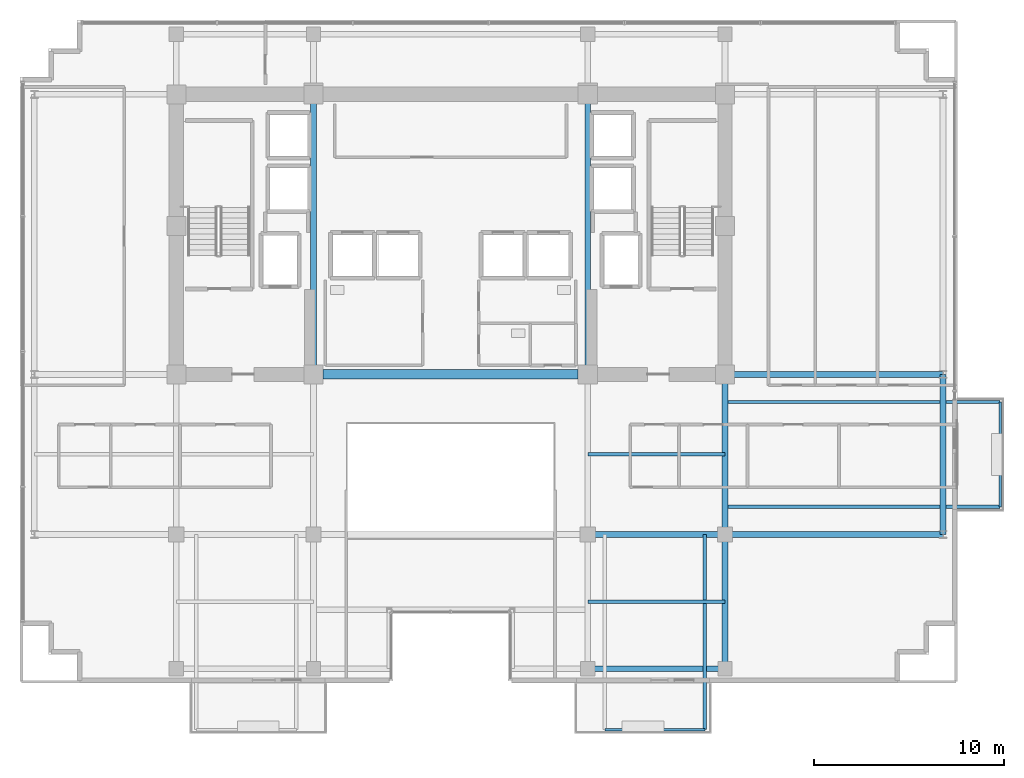
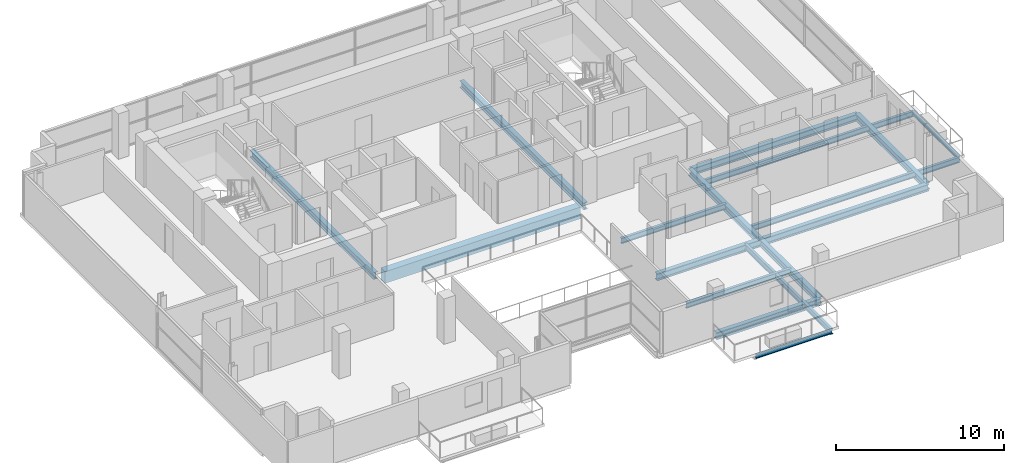
# One storey, part 8 of 21: 17 beams.
"""IFC4 building model written with IfcOpenShell, lengths in metres."""

import ifcopenshell
import ifcopenshell.guid

model = None  # the IFC model being written
_history = None  # IfcOwnerHistory: only IFC2X3 demands one
_inside = {}  # id of a spatial element -> (the spatial element, [elements in it])
_under = {}  # id of a project, library or spatial element -> (it, [spatial elements below it])
_declared = {}  # id of a project -> (the project, [libraries it declares])
_typed = {}  # id of a type object -> (the type object, [elements of that type])
_made_of = {}  # id of a material, layer set ... -> (it, [elements and type objects made of it])


def new_model(schema):
    """Start an empty IFC model of exactly this schema.

    Asked for "IFC4X3", IfcOpenShell would pick the latest addendum, in which some entities
    have other attributes; the version numbers below select the first issue.
    IFC2X3 requires an IfcOwnerHistory on every rooted entity: one is made here for all.
    """
    global model, _history
    if schema == "IFC4X3":
        model = ifcopenshell.file(schema_version=(4, 3, 0, 0))
    else:
        model = ifcopenshell.file(schema=schema)
    _inside.clear()
    _under.clear()
    _declared.clear()
    _typed.clear()
    _made_of.clear()
    _history = None
    if model.schema == "IFC2X3":
        org = make("IfcOrganization", Name="unknown")
        user = make(
            "IfcPersonAndOrganization",
            ThePerson=make("IfcPerson", FamilyName="unknown"),
            TheOrganization=org,
        )
        app = make(
            "IfcApplication",
            ApplicationDeveloper=org,
            Version="unknown",
            ApplicationFullName="unknown",
            ApplicationIdentifier="unknown",
        )
        _history = make(
            "IfcOwnerHistory",
            OwningUser=user,
            OwningApplication=app,
            ChangeAction="ADDED",
            CreationDate=0,
        )
    return model


def make(cls, **values):
    """One entity of the class cls with the attributes given. An attribute that is None is left unset."""
    return model.create_entity(
        cls, **{name: value for name, value in values.items() if value is not None}
    )


def rooted(cls, **values):
    """An entity with a GlobalId (a new one), such as an element, a storey or a relation."""
    return make(cls, GlobalId=ifcopenshell.guid.new(), OwnerHistory=_history, **values)


def si_unit(unit_type, name, prefix=None):
    """IfcSIUnit, for example si_unit("LENGTHUNIT", "METRE", prefix="MILLI")."""
    return make("IfcSIUnit", UnitType=unit_type, Prefix=prefix, Name=name)


def assignment(units):
    """IfcUnitAssignment: the units of a project."""
    return None if units is None else make("IfcUnitAssignment", Units=units)


def point(xyz):
    """IfcCartesianPoint."""
    return None if xyz is None else make("IfcCartesianPoint", Coordinates=xyz)


def direction(xyz):
    """IfcDirection."""
    return None if xyz is None else make("IfcDirection", DirectionRatios=xyz)


def frame(location, z_axis=None, x_axis=None):
    """IfcAxis2Placement3D, a coordinate frame: its origin and axes. An axis left out is left unset."""
    return make(
        "IfcAxis2Placement3D",
        Location=point(location),
        Axis=direction(z_axis),
        RefDirection=direction(x_axis),
    )


def frame_2d(location, x_axis=None):
    """IfcAxis2Placement2D, a coordinate frame in the plane: its origin and x axis."""
    return make(
        "IfcAxis2Placement2D", Location=point(location), RefDirection=direction(x_axis)
    )


def origin():
    """The frame at (0, 0, 0) with its axes left unset."""
    return frame((0.0, 0.0, 0.0))


def origin_2d():
    """The frame at (0, 0) in the plane with its x axis left unset."""
    return frame_2d((0.0, 0.0))


def place(relative_to, where):
    """IfcLocalPlacement: puts the frame where relative to a parent placement (None: the world)."""
    return make(
        "IfcLocalPlacement", PlacementRelTo=relative_to, RelativePlacement=where
    )


def context(
    kind, dimensions, precision=None, world=None, true_north=None, identifier=None
):
    """IfcGeometricRepresentationContext, for example the 3D "Model" context."""
    return make(
        "IfcGeometricRepresentationContext",
        ContextIdentifier=identifier,
        ContextType=kind,
        CoordinateSpaceDimension=dimensions,
        Precision=precision,
        WorldCoordinateSystem=world,
        TrueNorth=true_north,
    )


def subcontext(parent, identifier, kind, view, scale=None):
    """IfcGeometricRepresentationSubContext, for example "Body" below "Model"."""
    return make(
        "IfcGeometricRepresentationSubContext",
        ContextIdentifier=identifier,
        ContextType=kind,
        ParentContext=parent,
        TargetScale=scale,
        TargetView=view,
    )


def project(units=None, contexts=None):
    """IfcProject with its units and contexts."""
    return rooted(
        "IfcProject",
        Name="project",
        RepresentationContexts=contexts,
        UnitsInContext=assignment(units),
    )


def spatial(cls, under=None, at=None, **own):
    """A site, building, storey or space (cls), placed at a placement, below another one or the project."""
    s = rooted(cls, ObjectPlacement=at, **own)
    if under is not None:
        _under.setdefault(under.id(), (under, []))[1].append(s)
    return s


def profile(cls, at=None, kind="AREA", **sizes):
    """A parametric profile (cls). Its sizes go by their IFC names, for example OverallWidth=200.0."""
    return make(cls, ProfileType=kind, Position=at, **sizes)


def rectangle(**sizes):
    """IfcRectangleProfileDef."""
    return profile("IfcRectangleProfileDef", **sizes)


def i_section(**sizes):
    """IfcIShapeProfileDef."""
    return profile("IfcIShapeProfileDef", **sizes)


def extrude(swept, where, along, depth):
    """IfcExtrudedAreaSolid: the profile swept, set in the frame where, extruded along a direction by depth."""
    return make(
        "IfcExtrudedAreaSolid",
        SweptArea=swept,
        Position=where,
        ExtrudedDirection=direction(along),
        Depth=depth,
    )


def shape(context_of_items, identifier, shape_type, items):
    """IfcShapeRepresentation: the items that make up one representation, for example the "Body"."""
    return make(
        "IfcShapeRepresentation",
        ContextOfItems=context_of_items,
        RepresentationIdentifier=identifier,
        RepresentationType=shape_type,
        Items=items,
    )


def material(Name=None, Category=None):
    """IfcMaterial."""
    return make("IfcMaterial", Name=Name, Category=Category)


def material_profile(
    of_material, cross_section, Name=None, Category=None, Priority=None
):
    """IfcMaterialProfile: a cross section and its material."""
    return make(
        "IfcMaterialProfile",
        Name=Name,
        Material=of_material,
        Profile=cross_section,
        Priority=Priority,
        Category=Category,
    )


def profile_set(profiles, Name=None, composite=None):
    """IfcMaterialProfileSet."""
    return make(
        "IfcMaterialProfileSet",
        Name=Name,
        MaterialProfiles=profiles,
        CompositeProfile=composite,
    )


def made_of(thing, what):
    """Note that an element or type object is made of a material, layer set ...; save() writes the relation."""
    if what is not None:
        _made_of.setdefault(what.id(), (what, []))[1].append(thing)
    return thing


def type_object(cls, material=None, **own):
    """A type object (cls), such as IfcWallType, which elements share."""
    return made_of(rooted(cls, **own), material)


def element(
    cls,
    number,
    at=None,
    inside=None,
    cuts=None,
    type_object=None,
    material=None,
    context=None,
    identifier="Body",
    shape_type=None,
    held_by="IfcProductDefinitionShape",
    body=None,
    shapes=None,
    **own,
):
    """One element of the class cls, such as IfcWall. Its Tag is "e" and its number.

    at: its placement. inside: the storey or other place that contains it. cuts: it is an
    opening in that element (IfcRelVoidsElement). A single representation is given by context,
    identifier, shape_type and body (its items); several are given by shapes. held_by: the class
    of the entity that holds the representations. save() writes the other relations.
    """
    e = rooted(cls, Tag="e%d" % number, ObjectPlacement=at, **own)
    if body is not None:
        shapes = [shape(context, identifier, shape_type, body)]
    if shapes is not None:
        e.Representation = make(held_by, Representations=shapes)
    if inside is not None:
        _inside.setdefault(inside.id(), (inside, []))[1].append(e)
    if cuts is not None:
        rooted(
            "IfcRelVoidsElement", RelatingBuildingElement=cuts, RelatedOpeningElement=e
        )
    if type_object is not None:
        _typed.setdefault(type_object.id(), (type_object, []))[1].append(e)
    return made_of(e, material)


def aggregate(whole, parts):
    """IfcRelAggregates: a whole, such as a stair, and the parts it consists of."""
    return rooted("IfcRelAggregates", RelatingObject=whole, RelatedObjects=parts)


def save(model, path):
    """Write the relations noted so far, then the file.

    IfcRelAggregates (storeys below a building ...), IfcRelContainedInSpatialStructure (elements
    in a storey), IfcRelDefinesByType, IfcRelAssociatesMaterial and IfcRelDeclares: one each for
    every whole, place, type object, material and project.
    """
    for whole, parts in _under.values():
        aggregate(whole, parts)
    for where, things in _inside.values():
        rooted(
            "IfcRelContainedInSpatialStructure",
            RelatedElements=things,
            RelatingStructure=where,
        )
    for kind, things in _typed.values():
        rooted("IfcRelDefinesByType", RelatedObjects=things, RelatingType=kind)
    for what, things in _made_of.values():
        rooted("IfcRelAssociatesMaterial", RelatedObjects=things, RelatingMaterial=what)
    for by, libraries in _declared.values():
        rooted("IfcRelDeclares", RelatingContext=by, RelatedDefinitions=libraries)
    model.write(path)


model = new_model("IFC4")

# Units and contexts
model_context = context("Model", 3, precision=1e-05, world=origin(), true_north=direction((0.0, 1.0)))
body_context = subcontext(model_context, "Body", "Model", "MODEL_VIEW")
ifc_project = project(units=[si_unit("LENGTHUNIT", "METRE"), si_unit("AREAUNIT", "SQUARE_METRE"), si_unit("VOLUMEUNIT", "CUBIC_METRE"), si_unit("PLANEANGLEUNIT", "RADIAN"), si_unit("MASSUNIT", "GRAM", prefix="KILO")], contexts=[model_context])

# Site, building, storey
site_placement = place(None, origin())
site = spatial("IfcSite", under=ifc_project, at=site_placement, CompositionType="ELEMENT")
building_placement = place(site_placement, origin())
building = spatial("IfcBuilding", under=site, at=building_placement, Name="Zarnakvel Exchange Tower", CompositionType="ELEMENT")
storey_placement = place(building_placement, frame((0.0, 0.0, 182.5)))
storey = spatial("IfcBuildingStorey", under=building, at=storey_placement, Name="L51", CompositionType="ELEMENT", Elevation=182.5)

# Beams
ifc_material_1 = material(Name="Steel S355", Category="steel")
ifc_material_profile_1 = material_profile(ifc_material_1, i_section(OverallWidth=0.179931640625, OverallDepth=0.39990234375, WebThickness=0.008544921875, FlangeThickness=0.013427734375, FilletRadius=0.02099609375, at=origin_2d()))
ifc_profile_set_1 = profile_set([ifc_material_profile_1], Name="Steel S355")
beam_type_1 = type_object("IfcBeamType", Name="B-06", PredefinedType="JOIST", material=ifc_profile_set_1)
for number, where, z_axis, x_axis, name in (
    (1, (7.199951171875, -13.125, -0.425048828125), (1.0, 0.0, 0.0), (0.0, 1.0, 0.0), "L51 Composite Floor Secondary Joist"),
    (2, (7.199951171875, -5.39990234375, -0.425048828125), (1.0, 0.0, 0.0), (0.0, 1.0, 0.0), "L51 Composite Floor Secondary Joist"),
):
    element("IfcBeam", number, at=place(storey_placement, frame(where, z_axis=z_axis, x_axis=x_axis)), inside=storey, type_object=beam_type_1, Name=name, PredefinedType="JOIST", context=body_context, shape_type="SweptSolid", body=[
        extrude(i_section(OverallWidth=0.179931640625, OverallDepth=0.39990234375, WebThickness=0.008544921875, FlangeThickness=0.013427734375, FilletRadius=0.02099609375, at=origin_2d()), origin(), (0.0, 0.0, 1.0), 7.199951171875),
    ])
beam_1_placement = place(storey_placement, frame((13.35009765625, -9.60009765625, -0.425048828125), z_axis=(0.0, -1.0, 0.0), x_axis=(1.0, 0.0, 0.0)))
element("IfcBeam", 3, at=beam_1_placement, inside=storey, type_object=beam_type_1, Name="L51 Continuous Back-Spanned Balcony Beam E", PredefinedType="JOIST", context=body_context, shape_type="SweptSolid", body=[
    extrude(i_section(OverallWidth=0.179931640625, OverallDepth=0.39990234375, WebThickness=0.008544921875, FlangeThickness=0.013427734375, FilletRadius=0.02099609375, at=origin_2d()), origin(), (0.0, 0.0, 1.0), 10.25),
])
for number, where, z_axis, x_axis, name in (
    (4, (14.39990234375, -8.14990234375, -0.425048828125), (1.0, 0.0, 0.0), (0.0, 1.0, 0.0), "L51 Continuous East Loggia Beam S"),
    (5, (14.39990234375, -2.64990234375, -0.425048828125), (1.0, 0.0, 0.0), (0.0, 1.0, 0.0), "L51 Continuous East Loggia Beam N"),
):
    element("IfcBeam", number, at=place(storey_placement, frame(where, z_axis=z_axis, x_axis=x_axis)), inside=storey, type_object=beam_type_1, Name=name, PredefinedType="JOIST", context=body_context, shape_type="SweptSolid", body=[
        extrude(i_section(OverallWidth=0.179931640625, OverallDepth=0.39990234375, WebThickness=0.008544921875, FlangeThickness=0.013427734375, FilletRadius=0.02099609375, at=origin_2d()), origin(), (0.0, 0.0, 1.0), 14.4501953125),
    ])
ifc_material_profile_2 = material_profile(ifc_material_1, i_section(OverallWidth=0.14990234375, OverallDepth=0.300048828125, WebThickness=0.007080078125, FlangeThickness=0.0107421875, FilletRadius=0.014892578125, at=origin_2d()))
ifc_profile_set_2 = profile_set([ifc_material_profile_2], Name="Steel S355")
beam_type_2 = type_object("IfcBeamType", Name="B-08", PredefinedType="JOIST", material=ifc_profile_set_2)
beam_2_placement = place(storey_placement, frame((8.10009765625, -19.85009765625, -0.375), z_axis=(1.0, 0.0, 0.0), x_axis=(0.0, 1.0, 0.0)))
element("IfcBeam", 6, at=beam_2_placement, inside=storey, type_object=beam_type_2, Name="L51 Balcony Edge Beam", PredefinedType="JOIST", context=body_context, shape_type="SweptSolid", body=[
    extrude(i_section(OverallWidth=0.14990234375, OverallDepth=0.300048828125, WebThickness=0.007080078125, FlangeThickness=0.0107421875, FilletRadius=0.014892578125, at=origin_2d()), origin(), (0.0, 0.0, 1.0), 5.25),
])
beam_3_placement = place(storey_placement, frame((28.85009765625, -8.14990234375, -0.375), z_axis=(0.0, 1.0, 0.0), x_axis=(-1.0, 0.0, 0.0)))
element("IfcBeam", 7, at=beam_3_placement, inside=storey, type_object=beam_type_2, Name="L51 East Loggia Edge Beam", PredefinedType="JOIST", context=body_context, shape_type="SweptSolid", body=[
    extrude(i_section(OverallWidth=0.14990234375, OverallDepth=0.300048828125, WebThickness=0.007080078125, FlangeThickness=0.0107421875, FilletRadius=0.014892578125, at=origin_2d()), origin(), (0.0, 0.0, 1.0), 5.5),
])
ifc_material_2 = material(Name="Concrete C60/75", Category="concrete")
ifc_material_profile_3 = material_profile(ifc_material_2, rectangle(XDim=0.5, YDim=0.85009765625, at=origin_2d()))
ifc_profile_set_3 = profile_set([ifc_material_profile_3], Name="Concrete C60/75")
beam_type_3 = type_object("IfcBeamType", Name="CB-02", PredefinedType="LINTEL", material=ifc_profile_set_3)
beam_4_placement = place(storey_placement, frame((-6.699951171875, -1.199951171875, -0.64990234375), z_axis=(1.0, 0.0, 0.0), x_axis=(0.0, 1.0, 0.0)))
element("IfcBeam", 8, at=beam_4_placement, inside=storey, type_object=beam_type_3, Name="L51 Rear Core South Coupling Beam (CB-02)", PredefinedType="LINTEL", context=body_context, shape_type="SweptSolid", body=[
    extrude(rectangle(XDim=0.5, YDim=0.85009765625, at=origin_2d()), origin(), (0.0, 0.0, 1.0), 13.39990234375),
])
ifc_material_profile_4 = material_profile(ifc_material_1, i_section(OverallWidth=0.300048828125, OverallDepth=0.5, WebThickness=0.014404296875, FlangeThickness=0.028076171875, FilletRadius=0.027099609375, at=origin_2d()))
ifc_profile_set_4 = profile_set([ifc_material_profile_4], Name="Steel S355")
beam_type_4 = type_object("IfcBeamType", Name="G-06", PredefinedType="BEAM", material=ifc_profile_set_4)
beam_5_placement = place(storey_placement, frame((7.199951171875, -9.60009765625, -0.47509765625), z_axis=(1.0, 0.0, 0.0), x_axis=(0.0, 1.0, 0.0)))
element("IfcBeam", 9, at=beam_5_placement, inside=storey, type_object=beam_type_4, Name="L51 Tower E-W Frame Beam", PredefinedType="BEAM", context=body_context, shape_type="SweptSolid", body=[
    extrude(i_section(OverallWidth=0.300048828125, OverallDepth=0.5, WebThickness=0.014404296875, FlangeThickness=0.028076171875, FilletRadius=0.027099609375, at=origin_2d()), origin(), (0.0, 0.0, 1.0), 7.199951171875),
])
for number, where, z_axis, x_axis, name in (
    (10, (14.39990234375, -9.60009765625, -0.47509765625), (1.0, 0.0, 0.0), (0.0, 1.0, 0.0), "L51 Tower E-W Frame Beam"),
    (11, (14.39990234375, -1.199951171875, -0.47509765625), (1.0, 0.0, 0.0), (0.0, 1.0, 0.0), "L51 Tower E-W Frame Beam"),
):
    element("IfcBeam", number, at=place(storey_placement, frame(where, z_axis=z_axis, x_axis=x_axis)), inside=storey, type_object=beam_type_4, Name=name, PredefinedType="BEAM", context=body_context, shape_type="SweptSolid", body=[
        extrude(i_section(OverallWidth=0.300048828125, OverallDepth=0.5, WebThickness=0.014404296875, FlangeThickness=0.028076171875, FilletRadius=0.027099609375, at=origin_2d()), origin(), (0.0, 0.0, 1.0), 11.4501953125),
    ])
for number, where, z_axis, x_axis, name in (
    (12, (-7.199951171875, -1.199951171875, -0.47509765625), (0.0, 1.0, 0.0), (-1.0, 0.0, 0.0), "L51 Tower N-S Frame Beam"),
    (13, (7.199951171875, -1.199951171875, -0.47509765625), (0.0, 1.0, 0.0), (-1.0, 0.0, 0.0), "L51 Tower N-S Frame Beam"),
):
    element("IfcBeam", number, at=place(storey_placement, frame(where, z_axis=z_axis, x_axis=x_axis)), inside=storey, type_object=beam_type_4, Name=name, PredefinedType="BEAM", context=body_context, shape_type="SweptSolid", body=[
        extrude(i_section(OverallWidth=0.300048828125, OverallDepth=0.5, WebThickness=0.014404296875, FlangeThickness=0.028076171875, FilletRadius=0.027099609375, at=origin_2d()), origin(), (0.0, 0.0, 1.0), 14.699951171875),
    ])
beam_6_placement = place(storey_placement, frame((14.39990234375, -16.64990234375, -0.47509765625), z_axis=(0.0, 1.0, 0.0), x_axis=(-1.0, 0.0, 0.0)))
element("IfcBeam", 14, at=beam_6_placement, inside=storey, type_object=beam_type_4, Name="L51 Tower N-S Frame Beam", PredefinedType="BEAM", context=body_context, shape_type="SweptSolid", body=[
    extrude(i_section(OverallWidth=0.300048828125, OverallDepth=0.5, WebThickness=0.014404296875, FlangeThickness=0.028076171875, FilletRadius=0.027099609375, at=origin_2d()), origin(), (0.0, 0.0, 1.0), 7.0498046875),
])
beam_7_placement = place(storey_placement, frame((14.39990234375, -9.60009765625, -0.47509765625), z_axis=(0.0, 1.0, 0.0), x_axis=(-1.0, 0.0, 0.0)))
element("IfcBeam", 15, at=beam_7_placement, inside=storey, type_object=beam_type_4, Name="L51 Tower N-S Frame Beam", PredefinedType="BEAM", context=body_context, shape_type="SweptSolid", body=[
    extrude(i_section(OverallWidth=0.300048828125, OverallDepth=0.5, WebThickness=0.014404296875, FlangeThickness=0.028076171875, FilletRadius=0.027099609375, at=origin_2d()), origin(), (0.0, 0.0, 1.0), 8.400146484375),
])
ifc_material_profile_5 = material_profile(ifc_material_1, i_section(OverallWidth=0.300048828125, OverallDepth=0.5, WebThickness=0.014404296875, FlangeThickness=0.028076171875, FilletRadius=0.027099609375, at=origin_2d()))
ifc_profile_set_5 = profile_set([ifc_material_profile_5], Name="Steel S355")
beam_type_5 = type_object("IfcBeamType", Name="SP-02", PredefinedType="SPANDREL", material=ifc_profile_set_5)
beam_8_placement = place(storey_placement, frame((7.199951171875, -16.64990234375, -0.47509765625), z_axis=(1.0, 0.0, 0.0), x_axis=(0.0, 1.0, 0.0)))
element("IfcBeam", 16, at=beam_8_placement, inside=storey, type_object=beam_type_5, Name="L51 Tower E-W Frame Beam", PredefinedType="SPANDREL", context=body_context, shape_type="SweptSolid", body=[
    extrude(i_section(OverallWidth=0.300048828125, OverallDepth=0.5, WebThickness=0.014404296875, FlangeThickness=0.028076171875, FilletRadius=0.027099609375, at=origin_2d()), origin(), (0.0, 0.0, 1.0), 7.199951171875),
])
beam_9_placement = place(storey_placement, frame((25.85009765625, -9.60009765625, -0.47509765625), z_axis=(0.0, 1.0, 0.0), x_axis=(-1.0, 0.0, 0.0)))
element("IfcBeam", 17, at=beam_9_placement, inside=storey, type_object=beam_type_5, Name="L51 Tower N-S Frame Beam", PredefinedType="SPANDREL", context=body_context, shape_type="SweptSolid", body=[
    extrude(i_section(OverallWidth=0.300048828125, OverallDepth=0.5, WebThickness=0.014404296875, FlangeThickness=0.028076171875, FilletRadius=0.027099609375, at=origin_2d()), origin(), (0.0, 0.0, 1.0), 8.400146484375),
])

save(model, "model.ifc")
